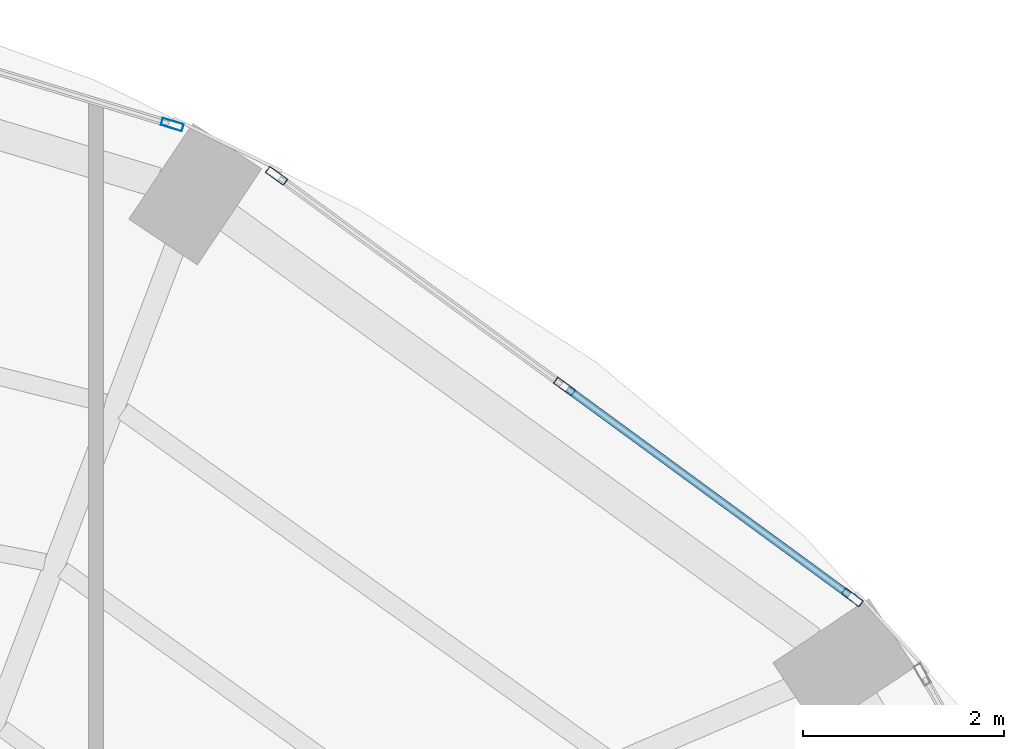
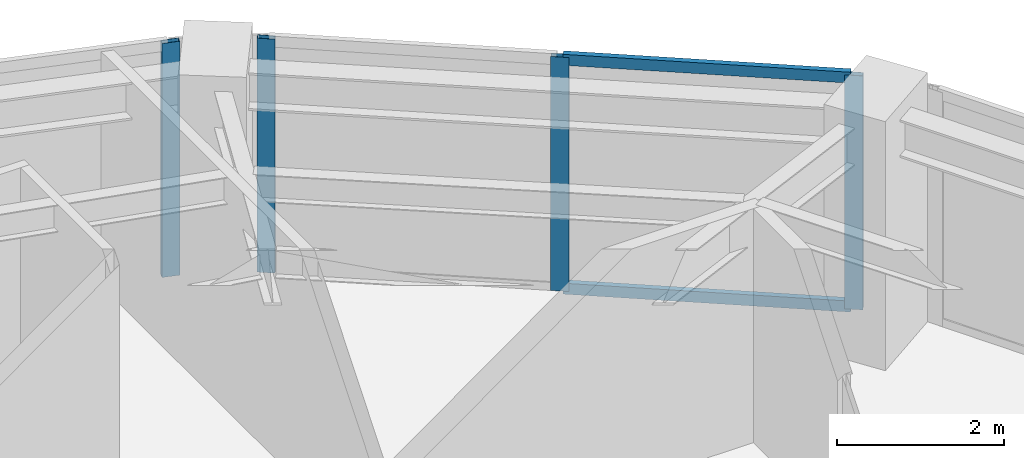
# One storey, part 14 of 20: 6 members, 2 elements without a shape of their own.
"""IFC4 building model written with IfcOpenShell, lengths in metres."""

from ifc_helpers import new_model, si_unit, direction, frame, origin, origin_2d, place, context, subcontext, project, spatial, hollow_rectangle, extrude, material, layer, layer_set, material_profile, profile_set, type_object, element, aggregate, save


model = new_model("IFC4")

# Units and contexts
model_context = context("Model", 3, precision=1e-05, world=origin(), true_north=direction((0.0, 1.0)))
body_context = subcontext(model_context, "Body", "Model", "MODEL_VIEW")
ifc_project = project(units=[si_unit("LENGTHUNIT", "METRE"), si_unit("AREAUNIT", "SQUARE_METRE"), si_unit("VOLUMEUNIT", "CUBIC_METRE"), si_unit("PLANEANGLEUNIT", "RADIAN"), si_unit("MASSUNIT", "GRAM", prefix="KILO")], contexts=[model_context])

# Site, building, storey
site_placement = place(None, origin())
site = spatial("IfcSite", under=ifc_project, at=site_placement, CompositionType="ELEMENT")
building_placement = place(site_placement, origin())
building = spatial("IfcBuilding", under=site, at=building_placement, Name="Lazwardi Medical Tower", CompositionType="ELEMENT")
storey_placement = place(building_placement, frame((0.0, 0.0, 138.2880859375)))
storey = spatial("IfcBuildingStorey", under=building, at=storey_placement, Name="L35", CompositionType="ELEMENT", Elevation=138.2880859375)

# Curtain wall, members
ifc_material_1 = material(Name="Anodised bronze aluminium and solar control glazing", Category="aluminium")
ifc_layer = layer(ifc_material_1, 0.195068359375)
ifc_layer_set = layer_set([ifc_layer], Name="Anodised bronze aluminium and solar control glazing")
curtain_wall_type = type_object("IfcCurtainWallType", Name="CW-SYS-03", PredefinedType="NOTDEFINED", material=ifc_layer_set)
curtain_wall_1_placement = place(storey_placement, origin())
curtain_wall_1 = element("IfcCurtainWall", 1, at=curtain_wall_1_placement, inside=storey, type_object=curtain_wall_type, Name="L35 Unitised bronze curtain wall CW-03", PredefinedType="NOTDEFINED")
ifc_material_2 = material(Name="Anodised bronze aluminium", Category="aluminium")
ifc_material_profile_1 = material_profile(ifc_material_2, hollow_rectangle(XDim=0.074951171875, YDim=0.219970703125, WallThickness=0.00390625, at=origin_2d()), Name="ALU-MULLION 220x75x4")
ifc_profile_set_1 = profile_set([ifc_material_profile_1], Name="Anodised bronze aluminium")
member_type_1 = type_object("IfcMemberType", Name="CW-MUL-01", PredefinedType="MULLION", material=ifc_profile_set_1)
member_1_placement = place(storey_placement, frame((55.519775390625, 40.5029296875, 0.0), z_axis=(0.0, 0.0, 1.0), x_axis=(-0.590833862635, -0.806793249082, 0.0)))
member_1 = element("IfcMember", 2, at=member_1_placement, type_object=member_type_1, Name="CW-03 mullion 1", PredefinedType="MULLION", context=body_context, shape_type="SweptSolid", body=[
    extrude(hollow_rectangle(XDim=0.074951171875, YDim=0.219970703125, WallThickness=0.00390625, at=origin_2d()), origin(), (0.0, 0.0, 1.0), 3.427978515625),
])
member_2_placement = place(storey_placement, frame((52.65771484375, 42.598876953125, 0.0), z_axis=(0.0, 0.0, 1.0), x_axis=(-0.590833862635, -0.806793249082, 0.0)))
member_2 = element("IfcMember", 3, at=member_2_placement, type_object=member_type_1, Name="CW-03 mullion 2", PredefinedType="MULLION", context=body_context, shape_type="SweptSolid", body=[
    extrude(hollow_rectangle(XDim=0.074951171875, YDim=0.219970703125, WallThickness=0.00390625, at=origin_2d()), origin(), (0.0, 0.0, 1.0), 3.427978515625),
])
member_3_placement = place(storey_placement, frame((49.795654296875, 44.69482421875, 0.0), z_axis=(0.0, 0.0, 1.0), x_axis=(-0.590833862635, -0.806793249082, 0.0)))
member_3 = element("IfcMember", 4, at=member_3_placement, type_object=member_type_1, Name="CW-03 mullion 3", PredefinedType="MULLION", context=body_context, shape_type="SweptSolid", body=[
    extrude(hollow_rectangle(XDim=0.074951171875, YDim=0.219970703125, WallThickness=0.00390625, at=origin_2d()), origin(), (0.0, 0.0, 1.0), 3.427978515625),
])

# Curtain wall, member
curtain_wall_2_placement = place(storey_placement, origin())
curtain_wall_2 = element("IfcCurtainWall", 5, at=curtain_wall_2_placement, inside=storey, type_object=curtain_wall_type, Name="L35 Unitised bronze curtain wall CW-03", PredefinedType="NOTDEFINED")
member_4_placement = place(storey_placement, frame((48.758056640625, 45.203369140625, 0.0), z_axis=(0.0, 0.0, 1.0), x_axis=(-0.290280785441, -0.956941516292, 0.0)))
member_4 = element("IfcMember", 6, at=member_4_placement, type_object=member_type_1, Name="CW-03 mullion 1", PredefinedType="MULLION", context=body_context, shape_type="SweptSolid", body=[
    extrude(hollow_rectangle(XDim=0.074951171875, YDim=0.219970703125, WallThickness=0.00390625, at=origin_2d()), origin(), (0.0, 0.0, 1.0), 3.427978515625),
])
aggregate(curtain_wall_2, [member_4])

# Member
ifc_material_profile_2 = material_profile(ifc_material_2, hollow_rectangle(XDim=0.074951171875, YDim=0.159912109375, WallThickness=0.00390625, at=origin_2d()), Name="ALU-TRANSOM 160x75x4")
ifc_profile_set_2 = profile_set([ifc_material_profile_2], Name="Anodised bronze aluminium")
member_type_2 = type_object("IfcMemberType", Name="CW-TRN-01", PredefinedType="USERDEFINED", material=ifc_profile_set_2)
member_5_placement = place(storey_placement, frame((55.489501953125, 40.525146484375, 0.037353515625), z_axis=(-0.806807161185, 0.590814864962, 0.0), x_axis=(-0.590814864962, -0.806807161185, 0.0)))
member_5 = element("IfcMember", 7, at=member_5_placement, type_object=member_type_2, Name="CW-03 transom 1.1", ObjectType="TRANSOM", PredefinedType="USERDEFINED", context=body_context, shape_type="SweptSolid", body=[
    extrude(hollow_rectangle(XDim=0.074951171875, YDim=0.159912109375, WallThickness=0.00390625, at=origin_2d()), origin(), (0.0, 0.0, 1.0), 3.472412109375),
])

member_6_placement = place(storey_placement, frame((55.489501953125, 40.525146484375, 3.390380859375), z_axis=(-0.806807161185, 0.590814864962, 0.0), x_axis=(-0.590814864962, -0.806807161185, 0.0)))
member_6 = element("IfcMember", 8, at=member_6_placement, type_object=member_type_2, Name="CW-03 transom 1.2", ObjectType="TRANSOM", PredefinedType="USERDEFINED", context=body_context, shape_type="SweptSolid", body=[
    extrude(hollow_rectangle(XDim=0.074951171875, YDim=0.159912109375, WallThickness=0.00390625, at=origin_2d()), origin(), (0.0, 0.0, 1.0), 3.472412109375),
])

aggregate(curtain_wall_1, [member_1, member_2, member_3, member_5, member_6])

save(model, "model.ifc")
